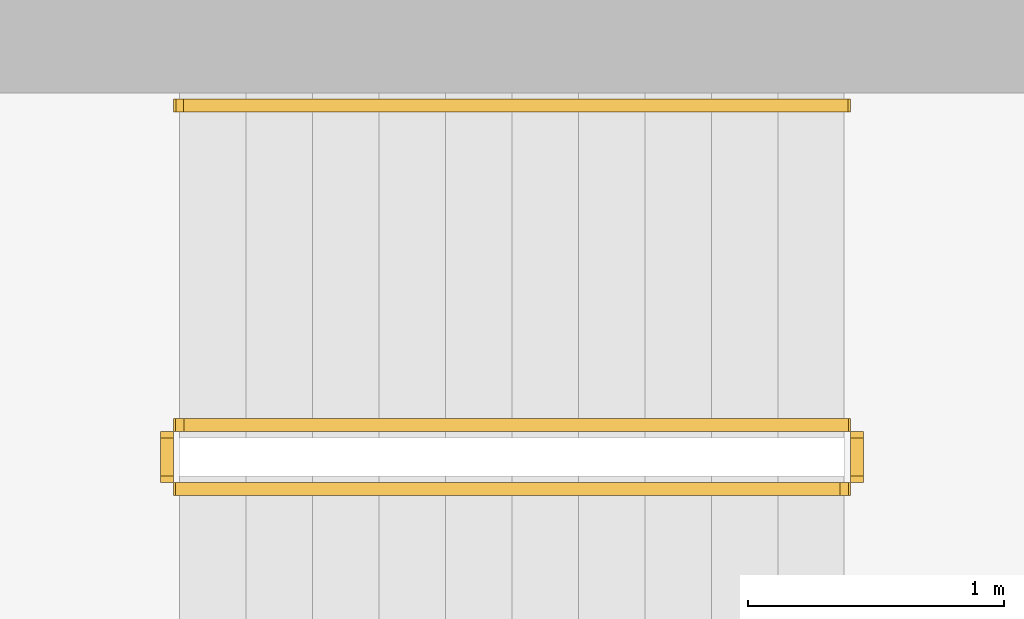
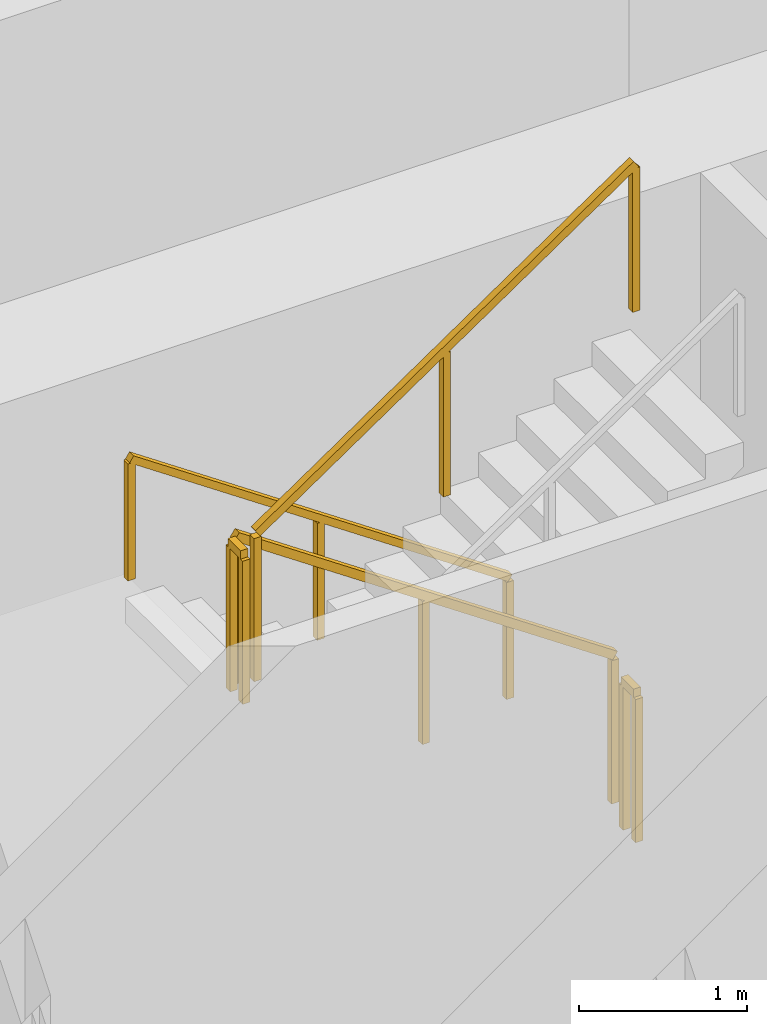
# One storey, part 14 of 15: 5 railings.
"""IFC4 building model written with IfcOpenShell, lengths in metres."""

from ifc_helpers import new_model, si_unit, direction, frame, origin, origin_2d, place, context, subcontext, project, spatial, rectangle, extrude, material, type_object, element, save


model = new_model("IFC4")

# Units and contexts
model_context = context("Model", 3, precision=1e-05, world=origin(), true_north=direction((0.0, 1.0)))
body_context = subcontext(model_context, "Body", "Model", "MODEL_VIEW")
ifc_project = project(units=[si_unit("LENGTHUNIT", "METRE"), si_unit("AREAUNIT", "SQUARE_METRE"), si_unit("VOLUMEUNIT", "CUBIC_METRE"), si_unit("PLANEANGLEUNIT", "RADIAN"), si_unit("MASSUNIT", "GRAM", prefix="KILO")], contexts=[model_context])

# Site, building, storey
site_placement = place(None, origin())
site = spatial("IfcSite", under=ifc_project, at=site_placement, CompositionType="ELEMENT")
building_placement = place(site_placement, origin())
building = spatial("IfcBuilding", under=site, at=building_placement, Name="Khepri Terraces", CompositionType="ELEMENT")
storey_placement = place(building_placement, frame((0.0, 0.0, 94.800048828125)))
storey = spatial("IfcBuildingStorey", under=building, at=storey_placement, Name="L22", CompositionType="ELEMENT", Elevation=94.800048828125)

# Railings
ifc_material = material(Name="Stainless steel 316", Category="steel")
railing_type_1 = type_object("IfcRailingType", Name="RL-CORE-GUARD", PredefinedType="GUARDRAIL", material=ifc_material)
railing_1_placement = place(storey_placement, frame((-0.25, 8.800048828125, 0.17724609375)))
element("IfcRailing", 1, at=railing_1_placement, inside=storey, type_object=railing_type_1, Name="L22 ST-3 stair guard 1", PredefinedType="GUARDRAIL", context=body_context, shape_type="SweptSolid", body=[
    extrude(rectangle(XDim=0.050048828125, YDim=0.06005859375, at=origin_2d()), frame((0.0, 0.0, 1.070068359375), z_axis=(-0.826240473404, 0.0, 0.563317565952), x_axis=(0.0, -1.0, 0.0)), (0.0, 0.0, 1.0), 3.14697265625),
    extrude(rectangle(XDim=0.050048828125, YDim=0.050048828125, at=origin_2d()), origin(), (0.0, 0.0, 1.0), 1.0400390625),
    extrude(rectangle(XDim=0.050048828125, YDim=0.050048828125, at=origin_2d()), frame((-1.300048828125, 0.0, 0.88623046875)), (0.0, 0.0, 1.0), 1.0400390625),
    extrude(rectangle(XDim=0.050048828125, YDim=0.050048828125, at=origin_2d()), frame((-2.60009765625, 0.0, 1.772705078125)), (0.0, 0.0, 1.0), 1.0400390625),
])
railing_2_placement = place(storey_placement, frame((-2.89990234375, 8.75, 1.949951171875)))
element("IfcRailing", 2, at=railing_2_placement, inside=storey, type_object=railing_type_1, Name="L22 ST-3 stair guard 2", PredefinedType="GUARDRAIL", context=body_context, shape_type="SweptSolid", body=[
    extrude(rectangle(XDim=0.050048828125, YDim=0.06005859375, at=origin_2d()), frame((0.0, 0.0, 1.070068359375), z_axis=(0.0, -1.0, 0.0), x_axis=(1.0, 0.0, 0.0)), (0.0, 0.0, 1.0), 0.14990234375),
    extrude(rectangle(XDim=0.050048828125, YDim=0.050048828125, at=origin_2d()), origin(), (0.0, 0.0, 1.0), 1.0400390625),
    extrude(rectangle(XDim=0.050048828125, YDim=0.050048828125, at=origin_2d()), frame((0.0, -0.14990234375, 0.0)), (0.0, 0.0, 1.0), 1.0400390625),
])
railing_3_placement = place(storey_placement, frame((-2.85009765625, 8.550048828125, 2.127197265625)))
element("IfcRailing", 3, at=railing_3_placement, inside=storey, type_object=railing_type_1, Name="L22 ST-3 stair guard 3", PredefinedType="GUARDRAIL", context=body_context, shape_type="SweptSolid", body=[
    extrude(rectangle(XDim=0.050048828125, YDim=0.06005859375, at=origin_2d()), frame((0.0, 0.0, 1.070068359375), z_axis=(0.826240473404, 0.0, 0.563317565952), x_axis=(0.0, 1.0, 0.0)), (0.0, 0.0, 1.0), 3.14697265625),
    extrude(rectangle(XDim=0.050048828125, YDim=0.050048828125, at=origin_2d()), origin(), (0.0, 0.0, 1.0), 1.0400390625),
    extrude(rectangle(XDim=0.050048828125, YDim=0.050048828125, at=origin_2d()), frame((1.300048828125, 0.0, 0.88623046875)), (0.0, 0.0, 1.0), 1.0400390625),
    extrude(rectangle(XDim=0.050048828125, YDim=0.050048828125, at=origin_2d()), frame((2.60009765625, 0.0, 1.772705078125)), (0.0, 0.0, 1.0), 1.0400390625),
])
railing_4_placement = place(storey_placement, frame((-0.199951171875, 8.75, 0.0)))
element("IfcRailing", 4, at=railing_4_placement, inside=storey, type_object=railing_type_1, Name="L22 ST-3 stair guard 4", PredefinedType="GUARDRAIL", context=body_context, shape_type="SweptSolid", body=[
    extrude(rectangle(XDim=0.050048828125, YDim=0.06005859375, at=origin_2d()), frame((0.0, 0.0, 1.070068359375), z_axis=(0.0, -1.0, 0.0), x_axis=(1.0, 0.0, 0.0)), (0.0, 0.0, 1.0), 0.14990234375),
    extrude(rectangle(XDim=0.050048828125, YDim=0.050048828125, at=origin_2d()), origin(), (0.0, 0.0, 1.0), 1.0400390625),
    extrude(rectangle(XDim=0.050048828125, YDim=0.050048828125, at=origin_2d()), frame((0.0, -0.14990234375, 0.0)), (0.0, 0.0, 1.0), 1.0400390625),
])
railing_type_2 = type_object("IfcRailingType", Name="RL-CORE-HANDRAIL", PredefinedType="HANDRAIL", material=ifc_material)
railing_5_placement = place(storey_placement, frame((-0.25, 10.050048828125, 0.17724609375)))
element("IfcRailing", 5, at=railing_5_placement, inside=storey, type_object=railing_type_2, Name="L22 ST-3 stair handrail 1", PredefinedType="HANDRAIL", context=body_context, shape_type="SweptSolid", body=[
    extrude(rectangle(XDim=0.050048828125, YDim=0.050048828125, at=origin_2d()), frame((0.0, 0.0, 0.875), z_axis=(-0.826240473404, 0.0, 0.563317565952), x_axis=(0.0, -1.0, 0.0)), (0.0, 0.0, 1.0), 3.14697265625),
    extrude(rectangle(XDim=0.050048828125, YDim=0.050048828125, at=origin_2d()), origin(), (0.0, 0.0, 1.0), 0.849853515625),
    extrude(rectangle(XDim=0.050048828125, YDim=0.050048828125, at=origin_2d()), frame((-1.300048828125, 0.0, 0.88623046875)), (0.0, 0.0, 1.0), 0.849853515625),
    extrude(rectangle(XDim=0.050048828125, YDim=0.050048828125, at=origin_2d()), frame((-2.60009765625, 0.0, 1.772705078125)), (0.0, 0.0, 1.0), 0.849853515625),
])

save(model, "model.ifc")
